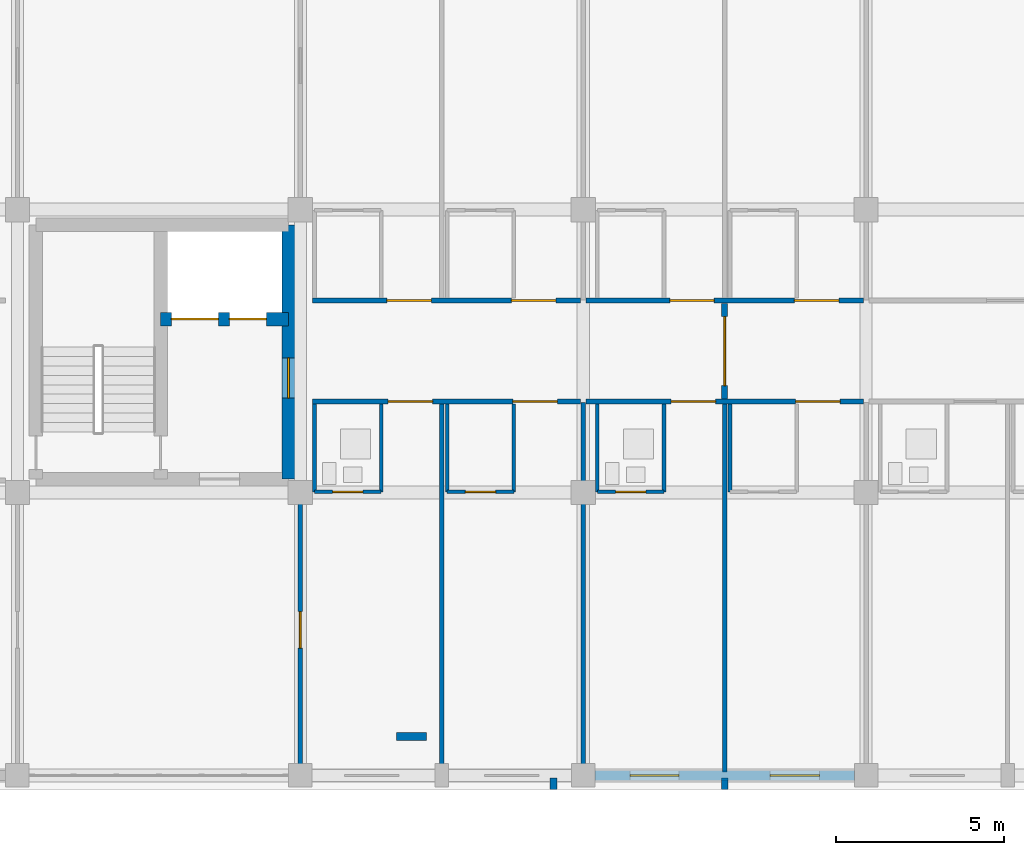
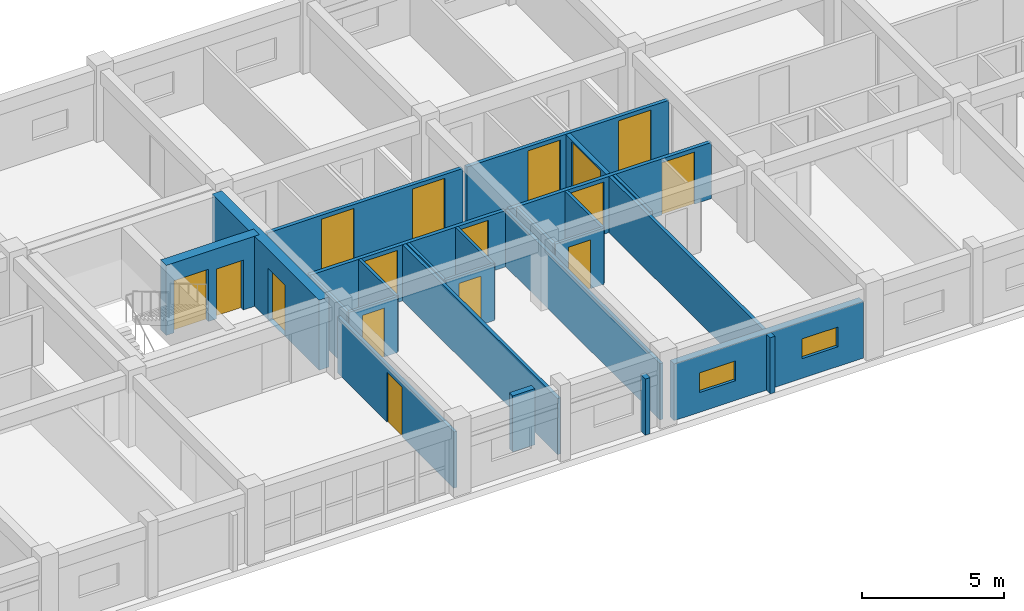
# One storey, part 111 of 148: 25 walls, 16 doors, 2 windows, 18 openings.
"""IFC4 building model written with IfcOpenShell, lengths in metres."""

from ifc_helpers import new_model, si_unit, direction, frame, frame_2d, origin, place, context, subcontext, project, spatial, rectangle, extrude, material, layer, layer_set, type_object, element, fill, save


model = new_model("IFC4")

# Units and contexts
model_context = context("Model", 3, precision=1e-05, world=origin(), true_north=direction((0.0, 1.0)))
body_context = subcontext(model_context, "Body", "Model", "MODEL_VIEW")
ifc_project = project(units=[si_unit("LENGTHUNIT", "METRE"), si_unit("AREAUNIT", "SQUARE_METRE"), si_unit("VOLUMEUNIT", "CUBIC_METRE"), si_unit("PLANEANGLEUNIT", "RADIAN"), si_unit("MASSUNIT", "GRAM", prefix="KILO")], contexts=[model_context])

# Site, building, storey
site_placement = place(None, origin())
site = spatial("IfcSite", under=ifc_project, at=site_placement, CompositionType="ELEMENT")
building_placement = place(site_placement, origin())
building = spatial("IfcBuilding", under=site, at=building_placement, Name="Trelvath General Hospital", CompositionType="ELEMENT")
storey_placement = place(building_placement, frame((0.0, 0.0, 12.89990234375)))
storey = spatial("IfcBuildingStorey", under=building, at=storey_placement, Name="L03", CompositionType="ELEMENT", Elevation=12.89990234375)

# Walls
ifc_material_1 = material(Name="Precast concrete C40/50", Category="concrete")
ifc_layer_1 = layer(ifc_material_1, 0.199951171875)
ifc_layer_set_1 = layer_set([ifc_layer_1], Name="Precast concrete C40/50")
wall_type_1 = type_object("IfcWallType", Name="BriseSoleilRib 200", PredefinedType="ELEMENTEDWALL", material=ifc_layer_set_1)
for number, where, z_axis, x_axis, name in (
    (1, (57.915283203125, -0.074951171875, 0.0), (0.0, 0.0, 1.0), (0.0, -1.0, 0.0), "Precast Concrete Brise-Soleil Rib Fin L03-260"),
    (2, (63.0, -0.074951171875, 0.0), (0.0, 0.0, 1.0), (0.0, -1.0, 0.0), "Precast Concrete Brise-Soleil Rib Fin L03-264"),
):
    element("IfcWall", number, at=place(storey_placement, frame(where, z_axis=z_axis, x_axis=x_axis)), inside=storey, type_object=wall_type_1, Name=name, PredefinedType="ELEMENTEDWALL", context=body_context, shape_type="SweptSolid", body=[
        extrude(rectangle(XDim=0.340087890625, YDim=0.199951171875, at=frame_2d((0.169921875, 0.0))), origin(), (0.0, 0.0, 1.0), 2.420166015625),
    ])

# Wall, openings, doors
ifc_material_2 = material(Name="Gypsum acoustic steel-stud partition", Category="steel")
ifc_layer_2 = layer(ifc_material_2, 0.14990234375)
ifc_layer_set_2 = layer_set([ifc_layer_2], Name="Gypsum acoustic steel-stud partition")
wall_type_2 = type_object("IfcWallType", Name="ClinicalPartition 150", PredefinedType="PARTITIONING", material=ifc_layer_set_2)
wall_1_placement = place(storey_placement, frame((50.760009765625, 11.10009765625, 0.0), z_axis=(0.0, 0.0, 1.0), x_axis=(1.0, 0.0, 0.0)))
wall_1 = element("IfcWall", 3, at=wall_1_placement, inside=storey, type_object=wall_type_2, Name="Corridor Partition L03-1095", PredefinedType="PARTITIONING", context=body_context, shape_type="SweptSolid", body=[
    extrude(rectangle(XDim=7.9599609375, YDim=0.14990234375, at=frame_2d((3.97998046875, 0.0))), origin(), (0.0, 0.0, 1.0), 2.420166015625),
])
opening_1_placement = place(wall_1_placement, frame((2.25, 0.0, 0.0)))
opening_1 = element("IfcOpeningElement", 4, at=opening_1_placement, cuts=wall_1, Name="Opening D-3-0836", PredefinedType="OPENING", context=body_context, shape_type="SweptSolid", body=[
    extrude(rectangle(XDim=1.320068359375, YDim=2.25, at=frame_2d((0.66015625, 1.125))), frame((0.0, 0.0849609375, 0.0), z_axis=(0.0, -1.0, 0.0), x_axis=(1.0, 0.0, 0.0)), (0.0, 0.0, 1.0), 0.169921875),
])
opening_2_placement = place(wall_1_placement, frame((5.949951171875, 0.0, 0.0)))
opening_2 = element("IfcOpeningElement", 5, at=opening_2_placement, cuts=wall_1, Name="Opening D-3-0837", PredefinedType="OPENING", context=body_context, shape_type="SweptSolid", body=[
    extrude(rectangle(XDim=1.320068359375, YDim=2.25, at=frame_2d((0.66015625, 1.125))), frame((0.0, 0.0849609375, 0.0), z_axis=(0.0, -1.0, 0.0), x_axis=(1.0, 0.0, 0.0)), (0.0, 0.0, 1.0), 0.169921875),
])
ifc_material_3 = material(Name="Maternity bed-leaf timber door", Category="wood")
door_type_1 = type_object("IfcDoorType", Name="Door PatientMaternity 1320x2250", OperationType="NOTDEFINED", PredefinedType="DOOR", material=ifc_material_3)
door_1_placement = place(opening_1_placement, origin())
door_1 = element("IfcDoor", 6, at=door_1_placement, inside=storey, type_object=door_type_1, Name="Patient Room Door L03-836", OperationType="SINGLE_SWING_RIGHT", OverallHeight=2.25, OverallWidth=1.320068359375, PredefinedType="DOOR", context=body_context, shape_type="SweptSolid", body=[
    extrude(rectangle(XDim=1.320068359375, YDim=2.25, at=frame_2d((0.66015625, 1.125))), frame((0.0, 0.02490234375, 0.0), z_axis=(0.0, -1.0, 0.0), x_axis=(1.0, 0.0, 0.0)), (0.0, 0.0, 1.0), 0.050048828125),
])
fill(opening_1, door_1)
door_2_placement = place(opening_2_placement, origin())
door_2 = element("IfcDoor", 7, at=door_2_placement, inside=storey, type_object=door_type_1, Name="Patient Room Door L03-837", OperationType="SINGLE_SWING_LEFT", OverallHeight=2.25, OverallWidth=1.320068359375, PredefinedType="DOOR", context=body_context, shape_type="SweptSolid", body=[
    extrude(rectangle(XDim=1.320068359375, YDim=2.25, at=frame_2d((0.66015625, 1.125))), frame((0.0, 0.02490234375, 0.0), z_axis=(0.0, -1.0, 0.0), x_axis=(1.0, 0.0, 0.0)), (0.0, 0.0, 1.0), 0.050048828125),
])
fill(opening_2, door_2)

wall_2_placement = place(storey_placement, frame((58.719970703125, 14.10009765625, 0.0), z_axis=(0.0, 0.0, 1.0), x_axis=(-1.0, 0.0, 0.0)))
wall_2 = element("IfcWall", 8, at=wall_2_placement, inside=storey, type_object=wall_type_2, Name="Corridor Partition N L03-1104", PredefinedType="PARTITIONING", context=body_context, shape_type="SweptSolid", body=[
    extrude(rectangle(XDim=7.9599609375, YDim=0.14990234375, at=frame_2d((3.97998046875, 0.0))), origin(), (0.0, 0.0, 1.0), 2.420166015625),
])
opening_3_placement = place(wall_2_placement, frame((0.72998046875, 0.0, 0.0)))
opening_3 = element("IfcOpeningElement", 9, at=opening_3_placement, cuts=wall_2, Name="Opening D-3-0840", PredefinedType="OPENING", context=body_context, shape_type="SweptSolid", body=[
    extrude(rectangle(XDim=1.320068359375, YDim=2.25, at=frame_2d((0.66015625, 1.125))), frame((0.0, 0.0849609375, 0.0), z_axis=(0.0, -1.0, 0.0), x_axis=(1.0, 0.0, 0.0)), (0.0, 0.0, 1.0), 0.169921875),
])
opening_4_placement = place(wall_2_placement, frame((4.429931640625, 0.0, 0.0)))
opening_4 = element("IfcOpeningElement", 10, at=opening_4_placement, cuts=wall_2, Name="Opening D-3-0841", PredefinedType="OPENING", context=body_context, shape_type="SweptSolid", body=[
    extrude(rectangle(XDim=1.320068359375, YDim=2.25, at=frame_2d((0.66015625, 1.125))), frame((0.0, 0.0849609375, 0.0), z_axis=(0.0, -1.0, 0.0), x_axis=(1.0, 0.0, 0.0)), (0.0, 0.0, 1.0), 0.169921875),
])
door_3_placement = place(opening_3_placement, origin())
door_3 = element("IfcDoor", 11, at=door_3_placement, inside=storey, type_object=door_type_1, Name="Patient Room Door N L03-840", OperationType="SINGLE_SWING_RIGHT", OverallHeight=2.25, OverallWidth=1.320068359375, PredefinedType="DOOR", context=body_context, shape_type="SweptSolid", body=[
    extrude(rectangle(XDim=1.320068359375, YDim=2.25, at=frame_2d((0.66015625, 1.125))), frame((0.0, 0.02490234375, 0.0), z_axis=(0.0, -1.0, 0.0), x_axis=(1.0, 0.0, 0.0)), (0.0, 0.0, 1.0), 0.050048828125),
])
fill(opening_3, door_3)
door_4_placement = place(opening_4_placement, origin())
door_4 = element("IfcDoor", 12, at=door_4_placement, inside=storey, type_object=door_type_1, Name="Patient Room Door N L03-841", OperationType="SINGLE_SWING_RIGHT", OverallHeight=2.25, OverallWidth=1.320068359375, PredefinedType="DOOR", context=body_context, shape_type="SweptSolid", body=[
    extrude(rectangle(XDim=1.320068359375, YDim=2.25, at=frame_2d((0.66015625, 1.125))), frame((0.0, 0.02490234375, 0.0), z_axis=(0.0, -1.0, 0.0), x_axis=(1.0, 0.0, 0.0)), (0.0, 0.0, 1.0), 0.050048828125),
])
fill(opening_4, door_4)

wall_3_placement = place(storey_placement, frame((58.8798828125, 11.10009765625, 0.0), z_axis=(0.0, 0.0, 1.0), x_axis=(1.0, 0.0, 0.0)))
wall_3 = element("IfcWall", 13, at=wall_3_placement, inside=storey, type_object=wall_type_2, Name="Corridor Partition L03-1114", PredefinedType="PARTITIONING", context=body_context, shape_type="SweptSolid", body=[
    extrude(rectangle(XDim=8.240234375, YDim=0.14990234375, at=frame_2d((4.1201171875, 0.0))), origin(), (0.0, 0.0, 1.0), 2.420166015625),
])
opening_5_placement = place(wall_3_placement, frame((2.530029296875, 0.0, 0.0)))
opening_5 = element("IfcOpeningElement", 14, at=opening_5_placement, cuts=wall_3, Name="Opening D-3-0844", PredefinedType="OPENING", context=body_context, shape_type="SweptSolid", body=[
    extrude(rectangle(XDim=1.320068359375, YDim=2.25, at=frame_2d((0.66015625, 1.125))), frame((0.0, 0.0849609375, 0.0), z_axis=(0.0, -1.0, 0.0), x_axis=(1.0, 0.0, 0.0)), (0.0, 0.0, 1.0), 0.169921875),
])
opening_6_placement = place(wall_3_placement, frame((6.22998046875, 0.0, 0.0)))
opening_6 = element("IfcOpeningElement", 15, at=opening_6_placement, cuts=wall_3, Name="Opening D-3-0845", PredefinedType="OPENING", context=body_context, shape_type="SweptSolid", body=[
    extrude(rectangle(XDim=1.320068359375, YDim=2.25, at=frame_2d((0.66015625, 1.125))), frame((0.0, 0.0849609375, 0.0), z_axis=(0.0, -1.0, 0.0), x_axis=(1.0, 0.0, 0.0)), (0.0, 0.0, 1.0), 0.169921875),
])
door_5_placement = place(opening_5_placement, origin())
door_5 = element("IfcDoor", 16, at=door_5_placement, inside=storey, type_object=door_type_1, Name="Patient Room Door L03-844", OperationType="SINGLE_SWING_LEFT", OverallHeight=2.25, OverallWidth=1.320068359375, PredefinedType="DOOR", context=body_context, shape_type="SweptSolid", body=[
    extrude(rectangle(XDim=1.320068359375, YDim=2.25, at=frame_2d((0.66015625, 1.125))), frame((0.0, 0.02490234375, 0.0), z_axis=(0.0, -1.0, 0.0), x_axis=(1.0, 0.0, 0.0)), (0.0, 0.0, 1.0), 0.050048828125),
])
fill(opening_5, door_5)
door_6_placement = place(opening_6_placement, origin())
door_6 = element("IfcDoor", 17, at=door_6_placement, inside=storey, type_object=door_type_1, Name="Patient Room Door L03-845", OperationType="SINGLE_SWING_RIGHT", OverallHeight=2.25, OverallWidth=1.320068359375, PredefinedType="DOOR", context=body_context, shape_type="SweptSolid", body=[
    extrude(rectangle(XDim=1.320068359375, YDim=2.25, at=frame_2d((0.66015625, 1.125))), frame((0.0, 0.02490234375, 0.0), z_axis=(0.0, -1.0, 0.0), x_axis=(1.0, 0.0, 0.0)), (0.0, 0.0, 1.0), 0.050048828125),
])
fill(opening_6, door_6)

wall_4_placement = place(storey_placement, frame((67.1201171875, 14.10009765625, 0.0), z_axis=(0.0, 0.0, 1.0), x_axis=(-1.0, 0.0, 0.0)))
wall_4 = element("IfcWall", 18, at=wall_4_placement, inside=storey, type_object=wall_type_2, Name="Corridor Partition N L03-1122", PredefinedType="PARTITIONING", context=body_context, shape_type="SweptSolid", body=[
    extrude(rectangle(XDim=8.240234375, YDim=0.14990234375, at=frame_2d((4.1201171875, 0.0))), origin(), (0.0, 0.0, 1.0), 2.420166015625),
])
opening_7_placement = place(wall_4_placement, frame((0.72998046875, 0.0, 0.0)))
opening_7 = element("IfcOpeningElement", 19, at=opening_7_placement, cuts=wall_4, Name="Opening D-3-0848", PredefinedType="OPENING", context=body_context, shape_type="SweptSolid", body=[
    extrude(rectangle(XDim=1.320068359375, YDim=2.25, at=frame_2d((0.66015625, 1.125))), frame((0.0, 0.0849609375, 0.0), z_axis=(0.0, -1.0, 0.0), x_axis=(1.0, 0.0, 0.0)), (0.0, 0.0, 1.0), 0.169921875),
])
opening_8_placement = place(wall_4_placement, frame((4.429931640625, 0.0, 0.0)))
opening_8 = element("IfcOpeningElement", 20, at=opening_8_placement, cuts=wall_4, Name="Opening D-3-0849", PredefinedType="OPENING", context=body_context, shape_type="SweptSolid", body=[
    extrude(rectangle(XDim=1.320068359375, YDim=2.25, at=frame_2d((0.66015625, 1.125))), frame((0.0, 0.0849609375, 0.0), z_axis=(0.0, -1.0, 0.0), x_axis=(1.0, 0.0, 0.0)), (0.0, 0.0, 1.0), 0.169921875),
])
door_7_placement = place(opening_7_placement, origin())
door_7 = element("IfcDoor", 21, at=door_7_placement, inside=storey, type_object=door_type_1, Name="Patient Room Door N L03-848", OperationType="SINGLE_SWING_LEFT", OverallHeight=2.25, OverallWidth=1.320068359375, PredefinedType="DOOR", context=body_context, shape_type="SweptSolid", body=[
    extrude(rectangle(XDim=1.320068359375, YDim=2.25, at=frame_2d((0.66015625, 1.125))), frame((0.0, 0.02490234375, 0.0), z_axis=(0.0, -1.0, 0.0), x_axis=(1.0, 0.0, 0.0)), (0.0, 0.0, 1.0), 0.050048828125),
])
fill(opening_7, door_7)
door_8_placement = place(opening_8_placement, origin())
door_8 = element("IfcDoor", 22, at=door_8_placement, inside=storey, type_object=door_type_1, Name="Patient Room Door N L03-849", OperationType="SINGLE_SWING_LEFT", OverallHeight=2.25, OverallWidth=1.320068359375, PredefinedType="DOOR", context=body_context, shape_type="SweptSolid", body=[
    extrude(rectangle(XDim=1.320068359375, YDim=2.25, at=frame_2d((0.66015625, 1.125))), frame((0.0, 0.02490234375, 0.0), z_axis=(0.0, -1.0, 0.0), x_axis=(1.0, 0.0, 0.0)), (0.0, 0.0, 1.0), 0.050048828125),
])
fill(opening_8, door_8)

# Wall, opening, door
ifc_material_4 = material(Name="Concrete C40/50", Category="concrete")
ifc_layer_3 = layer(ifc_material_4, 0.39990234375)
ifc_layer_set_3 = layer_set([ifc_layer_3], Name="Concrete C40/50")
wall_type_3 = type_object("IfcWallType", Name="CoreShearWall 400", PredefinedType="SHEAR", material=ifc_layer_set_3)
wall_5_placement = place(storey_placement, frame((50.050048828125, 8.800048828125, 0.0), z_axis=(0.0, 0.0, 1.0), x_axis=(0.0, 1.0, 0.0)))
wall_5 = element("IfcWall", 23, at=wall_5_placement, inside=storey, type_object=wall_type_3, Name="Core Shear Wall C4 E L03", PredefinedType="SHEAR", context=body_context, shape_type="SweptSolid", body=[
    extrude(rectangle(XDim=7.550048828125, YDim=0.39990234375, at=frame_2d((3.77490234375, 0.0))), origin(), (0.0, 0.0, 1.0), 3.02001953125),
])
opening_9_placement = place(wall_5_placement, frame((2.39990234375, 0.0, 0.0)))
opening_9 = element("IfcOpeningElement", 24, at=opening_9_placement, cuts=wall_5, Name="Opening FD-LE43", PredefinedType="OPENING", context=body_context, shape_type="SweptSolid", body=[
    extrude(rectangle(XDim=1.199951171875, YDim=2.199951171875, at=frame_2d((0.60009765625, 1.10009765625))), frame((0.0, 0.2099609375, 0.0), z_axis=(0.0, -1.0, 0.0), x_axis=(1.0, 0.0, 0.0)), (0.0, 0.0, 1.0), 0.419921875),
])
ifc_material_5 = material(Name="Fire-rated steel door", Category="steel")
door_type_2 = type_object("IfcDoorType", Name="Door FireLobby 1200x2200", OperationType="NOTDEFINED", PredefinedType="DOOR", material=ifc_material_5)
door_9_placement = place(opening_9_placement, origin())
door_9 = element("IfcDoor", 25, at=door_9_placement, inside=storey, type_object=door_type_2, Name="Fire Lobby East Corridor Door C4 L03", OperationType="SINGLE_SWING_RIGHT", OverallHeight=2.199951171875, OverallWidth=1.199951171875, PredefinedType="DOOR", context=body_context, shape_type="SweptSolid", body=[
    extrude(rectangle(XDim=1.199951171875, YDim=2.199951171875, at=frame_2d((0.60009765625, 1.10009765625))), frame((0.0, 0.02490234375, 0.0), z_axis=(0.0, -1.0, 0.0), x_axis=(1.0, 0.0, 0.0)), (0.0, 0.0, 1.0), 0.050048828125),
])
fill(opening_9, door_9)

# Wall, openings, doors
wall_6_placement = place(storey_placement, frame((46.25, 13.550048828125, 0.0), z_axis=(0.0, 0.0, 1.0), x_axis=(1.0, 0.0, 0.0)))
wall_6 = element("IfcWall", 26, at=wall_6_placement, inside=storey, type_object=wall_type_3, Name="Core Shear Wall C4 SHAFT L03", PredefinedType="SHEAR", context=body_context, shape_type="SweptSolid", body=[
    extrude(rectangle(XDim=3.800048828125, YDim=0.39990234375, at=frame_2d((1.89990234375, 0.0))), origin(), (0.0, 0.0, 1.0), 3.02001953125),
])
opening_10_placement = place(wall_6_placement, frame((0.320068359375, 0.0, 0.0)))
opening_10 = element("IfcOpeningElement", 27, at=opening_10_placement, cuts=wall_6, Name="Opening LD-BD3-3", PredefinedType="OPENING", context=body_context, shape_type="SweptSolid", body=[
    extrude(rectangle(XDim=1.39990234375, YDim=2.25, at=frame_2d((0.699951171875, 1.125))), frame((0.0, 0.2099609375, 0.0), z_axis=(0.0, -1.0, 0.0), x_axis=(1.0, 0.0, 0.0)), (0.0, 0.0, 1.0), 0.419921875),
])
opening_11_placement = place(wall_6_placement, frame((2.0400390625, 0.0, 0.0)))
opening_11 = element("IfcOpeningElement", 28, at=opening_11_placement, cuts=wall_6, Name="Opening LD-PA1-3", PredefinedType="OPENING", context=body_context, shape_type="SweptSolid", body=[
    extrude(rectangle(XDim=1.10009765625, YDim=2.14990234375, at=frame_2d((0.550048828125, 1.074951171875))), frame((0.0, 0.2099609375, 0.0), z_axis=(0.0, -1.0, 0.0), x_axis=(1.0, 0.0, 0.0)), (0.0, 0.0, 1.0), 0.419921875),
])
ifc_material_6 = material(Name="Stainless steel stretcher lift landing door", Category="steel")
door_type_3 = type_object("IfcDoorType", Name="Door LiftBed 1400x2250", OperationType="SLIDING_TO_LEFT", PredefinedType="DOOR", material=ifc_material_6)
door_10_placement = place(opening_10_placement, origin())
door_10 = element("IfcDoor", 29, at=door_10_placement, inside=storey, type_object=door_type_3, Name="Lift Landing Sliding Door LF-BD3 L03", OperationType="SLIDING_TO_LEFT", OverallHeight=2.25, OverallWidth=1.39990234375, PredefinedType="DOOR", context=body_context, shape_type="SweptSolid", body=[
    extrude(rectangle(XDim=1.39990234375, YDim=2.25, at=frame_2d((0.699951171875, 1.125))), frame((0.0, 0.02490234375, 0.0), z_axis=(0.0, -1.0, 0.0), x_axis=(1.0, 0.0, 0.0)), (0.0, 0.0, 1.0), 0.050048828125),
])
fill(opening_10, door_10)
ifc_material_7 = material(Name="Stainless steel lift landing sliding door", Category="steel")
door_type_4 = type_object("IfcDoorType", Name="Door LiftLanding 1100x2150", OperationType="SLIDING_TO_LEFT", PredefinedType="DOOR", material=ifc_material_7)
door_11_placement = place(opening_11_placement, origin())
door_11 = element("IfcDoor", 30, at=door_11_placement, inside=storey, type_object=door_type_4, Name="Lift Landing Sliding Door LF-PA1 L03", OperationType="SLIDING_TO_LEFT", OverallHeight=2.14990234375, OverallWidth=1.10009765625, PredefinedType="DOOR", context=body_context, shape_type="SweptSolid", body=[
    extrude(rectangle(XDim=1.10009765625, YDim=2.14990234375, at=frame_2d((0.550048828125, 1.074951171875))), frame((0.0, 0.02490234375, 0.0), z_axis=(0.0, -1.0, 0.0), x_axis=(1.0, 0.0, 0.0)), (0.0, 0.0, 1.0), 0.050048828125),
])
fill(opening_11, door_11)

# Walls
ifc_material_8 = material(Name="Moisture-resistant tile partition")
ifc_layer_4 = layer(ifc_material_8, 0.110107421875)
ifc_layer_set_4 = layer_set([ifc_layer_4], Name="Moisture-resistant tile partition")
wall_type_4 = type_object("IfcWallType", Name="EnSuiteWetWall 110", PredefinedType="PARTITIONING", material=ifc_layer_set_4)
for number, where, z_axis, x_axis, name in (
    (31, (50.820068359375, 8.419921875, 0.0), (0.0, 0.0, 1.0), (0.0, 1.0, 0.0), "En-Suite W Wall L03-1097"),
    (32, (52.800048828125, 8.419921875, 0.0), (0.0, 0.0, 1.0), (0.0, 1.0, 0.0), "En-Suite E Wall L03-1098"),
):
    element("IfcWall", number, at=place(storey_placement, frame(where, z_axis=z_axis, x_axis=x_axis)), inside=storey, type_object=wall_type_4, Name=name, PredefinedType="PARTITIONING", context=body_context, shape_type="SweptSolid", body=[
        extrude(rectangle(XDim=2.610107421875, YDim=0.110107421875, at=frame_2d((1.30517578125, 0.0))), origin(), (0.0, 0.0, 1.0), 2.420166015625),
    ])

# Wall, opening, door
wall_7_placement = place(storey_placement, frame((50.820068359375, 8.419921875, 0.0), z_axis=(0.0, 0.0, 1.0), x_axis=(1.0, 0.0, 0.0)))
wall_7 = element("IfcWall", 33, at=wall_7_placement, inside=storey, type_object=wall_type_4, Name="En-Suite Bathroom Partition L03-1099", PredefinedType="PARTITIONING", context=body_context, shape_type="SweptSolid", body=[
    extrude(rectangle(XDim=1.97998046875, YDim=0.110107421875, at=frame_2d((0.989990234375, 0.0))), origin(), (0.0, 0.0, 1.0), 2.420166015625),
])
opening_12_placement = place(wall_7_placement, frame((0.5400390625, 0.0, 0.0)))
opening_12 = element("IfcOpeningElement", 34, at=opening_12_placement, cuts=wall_7, Name="Opening D-3-0838", PredefinedType="OPENING", context=body_context, shape_type="SweptSolid", body=[
    extrude(rectangle(XDim=0.89990234375, YDim=2.10009765625, at=frame_2d((0.449951171875, 1.050048828125))), frame((0.0, 0.06494140625, 0.0), z_axis=(0.0, -1.0, 0.0), x_axis=(1.0, 0.0, 0.0)), (0.0, 0.0, 1.0), 0.130126953125),
])
ifc_material_9 = material(Name="Moisture-sealed timber leaf", Category="wood")
door_type_5 = type_object("IfcDoorType", Name="Door EnSuite 900x2100", OperationType="NOTDEFINED", PredefinedType="DOOR", material=ifc_material_9)
door_12_placement = place(opening_12_placement, origin())
door_12 = element("IfcDoor", 35, at=door_12_placement, inside=storey, type_object=door_type_5, Name="En-Suite Bathroom Door L03-838", OperationType="SINGLE_SWING_RIGHT", OverallHeight=2.10009765625, OverallWidth=0.89990234375, PredefinedType="DOOR", context=body_context, shape_type="SweptSolid", body=[
    extrude(rectangle(XDim=0.89990234375, YDim=2.10009765625, at=frame_2d((0.449951171875, 1.050048828125))), frame((0.0, 0.02490234375, 0.0), z_axis=(0.0, -1.0, 0.0), x_axis=(1.0, 0.0, 0.0)), (0.0, 0.0, 1.0), 0.050048828125),
])
fill(opening_12, door_12)

# Walls
for number, where, z_axis, x_axis, name in (
    (36, (54.760009765625, 8.419921875, 0.0), (0.0, 0.0, 1.0), (0.0, 1.0, 0.0), "En-Suite W Wall L03-1100"),
    (37, (56.739990234375, 8.419921875, 0.0), (0.0, 0.0, 1.0), (0.0, 1.0, 0.0), "En-Suite E Wall L03-1101"),
):
    element("IfcWall", number, at=place(storey_placement, frame(where, z_axis=z_axis, x_axis=x_axis)), inside=storey, type_object=wall_type_4, Name=name, PredefinedType="PARTITIONING", context=body_context, shape_type="SweptSolid", body=[
        extrude(rectangle(XDim=2.610107421875, YDim=0.110107421875, at=frame_2d((1.30517578125, 0.0))), origin(), (0.0, 0.0, 1.0), 2.420166015625),
    ])

# Wall, opening, door
wall_8_placement = place(storey_placement, frame((54.760009765625, 8.419921875, 0.0), z_axis=(0.0, 0.0, 1.0), x_axis=(1.0, 0.0, 0.0)))
wall_8 = element("IfcWall", 38, at=wall_8_placement, inside=storey, type_object=wall_type_4, Name="En-Suite Bathroom Partition L03-1102", PredefinedType="PARTITIONING", context=body_context, shape_type="SweptSolid", body=[
    extrude(rectangle(XDim=1.97998046875, YDim=0.110107421875, at=frame_2d((0.989990234375, 0.0))), origin(), (0.0, 0.0, 1.0), 2.420166015625),
])
opening_13_placement = place(wall_8_placement, frame((0.5400390625, 0.0, 0.0)))
opening_13 = element("IfcOpeningElement", 39, at=opening_13_placement, cuts=wall_8, Name="Opening D-3-0839", PredefinedType="OPENING", context=body_context, shape_type="SweptSolid", body=[
    extrude(rectangle(XDim=0.89990234375, YDim=2.10009765625, at=frame_2d((0.449951171875, 1.050048828125))), frame((0.0, 0.06494140625, 0.0), z_axis=(0.0, -1.0, 0.0), x_axis=(1.0, 0.0, 0.0)), (0.0, 0.0, 1.0), 0.130126953125),
])
door_13_placement = place(opening_13_placement, origin())
door_13 = element("IfcDoor", 40, at=door_13_placement, inside=storey, type_object=door_type_5, Name="En-Suite Bathroom Door L03-839", OperationType="SINGLE_SWING_LEFT", OverallHeight=2.10009765625, OverallWidth=0.89990234375, PredefinedType="DOOR", context=body_context, shape_type="SweptSolid", body=[
    extrude(rectangle(XDim=0.89990234375, YDim=2.10009765625, at=frame_2d((0.449951171875, 1.050048828125))), frame((0.0, 0.02490234375, 0.0), z_axis=(0.0, -1.0, 0.0), x_axis=(1.0, 0.0, 0.0)), (0.0, 0.0, 1.0), 0.050048828125),
])
fill(opening_13, door_13)

# Walls
for number, where, z_axis, x_axis, name in (
    (41, (59.219970703125, 8.419921875, 0.0), (0.0, 0.0, 1.0), (0.0, 1.0, 0.0), "En-Suite W Wall L03-1116"),
    (42, (61.199951171875, 8.419921875, 0.0), (0.0, 0.0, 1.0), (0.0, 1.0, 0.0), "En-Suite E Wall L03-1117"),
):
    element("IfcWall", number, at=place(storey_placement, frame(where, z_axis=z_axis, x_axis=x_axis)), inside=storey, type_object=wall_type_4, Name=name, PredefinedType="PARTITIONING", context=body_context, shape_type="SweptSolid", body=[
        extrude(rectangle(XDim=2.610107421875, YDim=0.110107421875, at=frame_2d((1.30517578125, 0.0))), origin(), (0.0, 0.0, 1.0), 2.420166015625),
    ])

# Wall, opening, door
wall_9_placement = place(storey_placement, frame((59.219970703125, 8.419921875, 0.0), z_axis=(0.0, 0.0, 1.0), x_axis=(1.0, 0.0, 0.0)))
wall_9 = element("IfcWall", 43, at=wall_9_placement, inside=storey, type_object=wall_type_4, Name="En-Suite Bathroom Partition L03-1118", PredefinedType="PARTITIONING", context=body_context, shape_type="SweptSolid", body=[
    extrude(rectangle(XDim=1.97998046875, YDim=0.110107421875, at=frame_2d((0.989990234375, 0.0))), origin(), (0.0, 0.0, 1.0), 2.420166015625),
])
opening_14_placement = place(wall_9_placement, frame((0.5400390625, 0.0, 0.0)))
opening_14 = element("IfcOpeningElement", 44, at=opening_14_placement, cuts=wall_9, Name="Opening D-3-0846", PredefinedType="OPENING", context=body_context, shape_type="SweptSolid", body=[
    extrude(rectangle(XDim=0.89990234375, YDim=2.10009765625, at=frame_2d((0.449951171875, 1.050048828125))), frame((0.0, 0.06494140625, 0.0), z_axis=(0.0, -1.0, 0.0), x_axis=(1.0, 0.0, 0.0)), (0.0, 0.0, 1.0), 0.130126953125),
])
door_14_placement = place(opening_14_placement, origin())
door_14 = element("IfcDoor", 45, at=door_14_placement, inside=storey, type_object=door_type_5, Name="En-Suite Bathroom Door L03-846", OperationType="SINGLE_SWING_LEFT", OverallHeight=2.10009765625, OverallWidth=0.89990234375, PredefinedType="DOOR", context=body_context, shape_type="SweptSolid", body=[
    extrude(rectangle(XDim=0.89990234375, YDim=2.10009765625, at=frame_2d((0.449951171875, 1.050048828125))), frame((0.0, 0.02490234375, 0.0), z_axis=(0.0, -1.0, 0.0), x_axis=(1.0, 0.0, 0.0)), (0.0, 0.0, 1.0), 0.050048828125),
])
fill(opening_14, door_14)

# Wall
wall_10_placement = place(storey_placement, frame((63.159912109375, 8.419921875, 0.0), z_axis=(0.0, 0.0, 1.0), x_axis=(0.0, 1.0, 0.0)))
element("IfcWall", 46, at=wall_10_placement, inside=storey, type_object=wall_type_4, Name="En-Suite W Wall L03-1119", PredefinedType="PARTITIONING", context=body_context, shape_type="SweptSolid", body=[
    extrude(rectangle(XDim=2.610107421875, YDim=0.110107421875, at=frame_2d((1.30517578125, 0.0))), origin(), (0.0, 0.0, 1.0), 2.420166015625),
])

# Wall, openings, windows
ifc_material_10 = material(Name="Concrete C35/45", Category="concrete")
ifc_layer_5 = layer(ifc_material_10, 0.2900390625)
ifc_layer_set_5 = layer_set([ifc_layer_5], Name="Concrete C35/45")
wall_type_5 = type_object("IfcWallType", Name="ExtBushHammeredWall 290", PredefinedType="SOLIDWALL", material=ifc_layer_set_5)
wall_11_placement = place(storey_placement, frame((66.85498046875, 0.0, 0.0), z_axis=(0.0, 0.0, 1.0), x_axis=(-1.0, 0.0, 0.0)))
wall_11 = element("IfcWall", 47, at=wall_11_placement, inside=storey, type_object=wall_type_5, Name="Exterior Concrete Wall L03-372", PredefinedType="SOLIDWALL", context=body_context, shape_type="SweptSolid", body=[
    extrude(rectangle(XDim=7.7099609375, YDim=0.2900390625, at=frame_2d((3.85498046875, 0.0))), origin(), (0.0, 0.0, 1.0), 2.440185546875),
])
opening_15_placement = place(wall_11_placement, frame((1.043212890625, 0.0, 0.85009765625)))
opening_15 = element("IfcOpeningElement", 48, at=opening_15_placement, cuts=wall_11, Name="Opening WN-3-613", PredefinedType="OPENING", context=body_context, shape_type="SweptSolid", body=[
    extrude(rectangle(XDim=1.4599609375, YDim=0.85009765625, at=frame_2d((0.72998046875, 0.425048828125))), frame((0.0, 0.155029296875, 0.0), z_axis=(0.0, -1.0, 0.0), x_axis=(1.0, 0.0, 0.0)), (0.0, 0.0, 1.0), 0.31005859375),
])
opening_16_placement = place(wall_11_placement, frame((5.206787109375, 0.0, 0.85009765625)))
opening_16 = element("IfcOpeningElement", 49, at=opening_16_placement, cuts=wall_11, Name="Opening WN-3-614", PredefinedType="OPENING", context=body_context, shape_type="SweptSolid", body=[
    extrude(rectangle(XDim=1.4599609375, YDim=0.85009765625, at=frame_2d((0.72998046875, 0.425048828125))), frame((0.0, 0.155029296875, 0.0), z_axis=(0.0, -1.0, 0.0), x_axis=(1.0, 0.0, 0.0)), (0.0, 0.0, 1.0), 0.31005859375),
])
ifc_material_11 = material(Name="Low-E laminated glass", Category="glass")
window_type = type_object("IfcWindowType", Name="Window ImagingClere 1460x850", PartitioningType="DOUBLE_PANEL_VERTICAL", PredefinedType="WINDOW", material=ifc_material_11)
window_1_placement = place(opening_15_placement, origin())
window_1 = element("IfcWindow", 50, at=window_1_placement, inside=storey, type_object=window_type, Name="Solar Reveal Window L03-613", OverallHeight=0.85009765625, OverallWidth=1.4599609375, PartitioningType="SINGLE_PANEL", PredefinedType="WINDOW", context=body_context, shape_type="SweptSolid", body=[
    extrude(rectangle(XDim=1.4599609375, YDim=0.85009765625, at=frame_2d((0.72998046875, 0.425048828125))), frame((0.0, 0.030029296875, 0.0), z_axis=(0.0, -1.0, 0.0), x_axis=(1.0, 0.0, 0.0)), (0.0, 0.0, 1.0), 0.06005859375),
])
fill(opening_15, window_1)
window_2_placement = place(opening_16_placement, origin())
window_2 = element("IfcWindow", 51, at=window_2_placement, inside=storey, type_object=window_type, Name="Solar Reveal Window L03-614", OverallHeight=0.85009765625, OverallWidth=1.4599609375, PartitioningType="SINGLE_PANEL", PredefinedType="WINDOW", context=body_context, shape_type="SweptSolid", body=[
    extrude(rectangle(XDim=1.4599609375, YDim=0.85009765625, at=frame_2d((0.72998046875, 0.425048828125))), frame((0.0, 0.030029296875, 0.0), z_axis=(0.0, -1.0, 0.0), x_axis=(1.0, 0.0, 0.0)), (0.0, 0.0, 1.0), 0.06005859375),
])
fill(opening_16, window_2)

# Wall
ifc_material_12 = material(Name="Masonry service chase blockwork", Category="masonry")
ifc_layer_6 = layer(ifc_material_12, 0.239990234375)
ifc_layer_set_6 = layer_set([ifc_layer_6], Name="Masonry service chase blockwork")
wall_type_6 = type_object("IfcWallType", Name="PlumbingChaseWall 240", PredefinedType="PLUMBINGWALL", material=ifc_layer_set_6)
wall_12_placement = place(storey_placement, frame((53.25, 1.14990234375, 0.0), z_axis=(0.0, 0.0, 1.0), x_axis=(1.0, 0.0, 0.0)))
element("IfcWall", 52, at=wall_12_placement, inside=storey, type_object=wall_type_6, Name="Medical Gas Plumbing Chase L03-1103", PredefinedType="PLUMBINGWALL", context=body_context, shape_type="SweptSolid", body=[
    extrude(rectangle(XDim=0.89990234375, YDim=0.239990234375, at=frame_2d((0.449951171875, 0.0))), origin(), (0.0, 0.0, 1.0), 2.420166015625),
])

# Wall, opening, door
ifc_material_13 = material(Name="Masonry fire blockwork", Category="masonry")
ifc_layer_7 = layer(ifc_material_13, 0.179931640625)
ifc_layer_set_7 = layer_set([ifc_layer_7], Name="Masonry fire blockwork")
wall_type_7 = type_object("IfcWallType", Name="SmokeBarrierWall 180", PredefinedType="PARTITIONING", material=ifc_layer_set_7)
wall_13_placement = place(storey_placement, frame((63.0, 11.179931640625, 0.0), z_axis=(0.0, 0.0, 1.0), x_axis=(0.0, 1.0, 0.0)))
wall_13 = element("IfcWall", 53, at=wall_13_placement, inside=storey, type_object=wall_type_7, Name="Smoke Compartment Barrier L03-1130", PredefinedType="PARTITIONING", context=body_context, shape_type="SweptSolid", body=[
    extrude(rectangle(XDim=2.840087890625, YDim=0.179931640625, at=frame_2d((1.419921875, 0.0))), origin(), (0.0, 0.0, 1.0), 2.420166015625),
])
opening_17_placement = place(wall_13_placement, frame((0.39501953125, 0.0, 0.0)))
opening_17 = element("IfcOpeningElement", 54, at=opening_17_placement, cuts=wall_13, Name="Opening SD-3-0852", PredefinedType="OPENING", context=body_context, shape_type="SweptSolid", body=[
    extrude(rectangle(XDim=2.050048828125, YDim=2.35009765625, at=frame_2d((1.02490234375, 1.175048828125))), frame((0.0, 0.099853515625, 0.0), z_axis=(0.0, -1.0, 0.0), x_axis=(1.0, 0.0, 0.0)), (0.0, 0.0, 1.0), 0.199951171875),
])
ifc_material_14 = material(Name="Fire-rated steel cross-corridor pair", Category="steel")
door_type_6 = type_object("IfcDoorType", Name="Door SmokeCross 2050x2350", OperationType="DOUBLE_SWING_LEFT", PredefinedType="DOOR", material=ifc_material_14)
door_15_placement = place(opening_17_placement, origin())
door_15 = element("IfcDoor", 55, at=door_15_placement, inside=storey, type_object=door_type_6, Name="Cross-Corridor Smoke Door L03-852", OperationType="SLIDING_TO_LEFT", OverallHeight=2.35009765625, OverallWidth=2.050048828125, PredefinedType="DOOR", context=body_context, shape_type="SweptSolid", body=[
    extrude(rectangle(XDim=2.050048828125, YDim=2.35009765625, at=frame_2d((1.02490234375, 1.175048828125))), frame((0.0, 0.02490234375, 0.0), z_axis=(0.0, -1.0, 0.0), x_axis=(1.0, 0.0, 0.0)), (0.0, 0.0, 1.0), 0.050048828125),
])
fill(opening_17, door_15)

ifc_material_15 = material(Name="Gypsum acoustic steel-stud partition", Category="steel")
ifc_layer_8 = layer(ifc_material_15, 0.1298828125)
ifc_layer_set_8 = layer_set([ifc_layer_8], Name="Gypsum acoustic steel-stud partition")
wall_type_8 = type_object("IfcWallType", Name="WardPartition 130", PredefinedType="PARTITIONING", material=ifc_layer_set_8)
wall_14_placement = place(storey_placement, frame((50.39990234375, 0.139892578125, 0.0), z_axis=(0.0, 0.0, 1.0), x_axis=(0.0, 1.0, 0.0)))
wall_14 = element("IfcWall", 56, at=wall_14_placement, inside=storey, type_object=wall_type_8, Name="Inter-Bay Ward Partition S L03-1093", PredefinedType="PARTITIONING", context=body_context, shape_type="SweptSolid", body=[
    extrude(rectangle(XDim=8.210205078125, YDim=0.1298828125, at=frame_2d((4.10498046875, 0.0))), origin(), (0.0, 0.0, 1.0), 2.420166015625),
])
opening_18_placement = place(wall_14_placement, frame((3.639892578125, 0.0, 0.0)))
opening_18 = element("IfcOpeningElement", 57, at=opening_18_placement, cuts=wall_14, Name="Opening D-3-0834", PredefinedType="OPENING", context=body_context, shape_type="SweptSolid", body=[
    extrude(rectangle(XDim=1.080078125, YDim=2.14990234375, at=frame_2d((0.5400390625, 1.074951171875))), frame((0.0, 0.074951171875, 0.0), z_axis=(0.0, -1.0, 0.0), x_axis=(1.0, 0.0, 0.0)), (0.0, 0.0, 1.0), 0.14990234375),
])
ifc_material_16 = material(Name="Acoustic hospital timber leaf", Category="wood")
door_type_7 = type_object("IfcDoorType", Name="Door CleanSupply 1080x2150", OperationType="NOTDEFINED", PredefinedType="DOOR", material=ifc_material_16)
door_16_placement = place(opening_18_placement, origin())
door_16 = element("IfcDoor", 58, at=door_16_placement, inside=storey, type_object=door_type_7, Name="Clean Supply Connecting Door L03-834", OperationType="SINGLE_SWING_RIGHT", OverallHeight=2.14990234375, OverallWidth=1.080078125, PredefinedType="DOOR", context=body_context, shape_type="SweptSolid", body=[
    extrude(rectangle(XDim=1.080078125, YDim=2.14990234375, at=frame_2d((0.5400390625, 1.074951171875))), frame((0.0, 0.02490234375, 0.0), z_axis=(0.0, -1.0, 0.0), x_axis=(1.0, 0.0, 0.0)), (0.0, 0.0, 1.0), 0.050048828125),
])
fill(opening_18, door_16)

# Walls
wall_15_placement = place(storey_placement, frame((54.60009765625, 0.10009765625, 0.0), z_axis=(0.0, 0.0, 1.0), x_axis=(0.0, 1.0, 0.0)))
element("IfcWall", 59, at=wall_15_placement, inside=storey, type_object=wall_type_8, Name="Room Dividing Partition S L03-1096", PredefinedType="PARTITIONING", context=body_context, shape_type="SweptSolid", body=[
    extrude(rectangle(XDim=10.929931640625, YDim=0.1298828125, at=frame_2d((5.46484375, 0.0))), origin(), (0.0, 0.0, 1.0), 2.420166015625),
])
wall_16_placement = place(storey_placement, frame((58.800048828125, 0.139892578125, 0.0), z_axis=(0.0, 0.0, 1.0), x_axis=(0.0, 1.0, 0.0)))
element("IfcWall", 60, at=wall_16_placement, inside=storey, type_object=wall_type_8, Name="Inter-Bay Ward Partition S L03-1112", PredefinedType="PARTITIONING", context=body_context, shape_type="SweptSolid", body=[
    extrude(rectangle(XDim=10.940185546875, YDim=0.1298828125, at=frame_2d((5.47021484375, 0.0))), origin(), (0.0, 0.0, 1.0), 2.420166015625),
])
wall_17_placement = place(storey_placement, frame((63.0, 0.10009765625, 0.0), z_axis=(0.0, 0.0, 1.0), x_axis=(0.0, 1.0, 0.0)))
element("IfcWall", 61, at=wall_17_placement, inside=storey, type_object=wall_type_8, Name="Room Dividing Partition S L03-1115", PredefinedType="PARTITIONING", context=body_context, shape_type="SweptSolid", body=[
    extrude(rectangle(XDim=10.929931640625, YDim=0.1298828125, at=frame_2d((5.46484375, 0.0))), origin(), (0.0, 0.0, 1.0), 2.420166015625),
])

save(model, "model.ifc")
